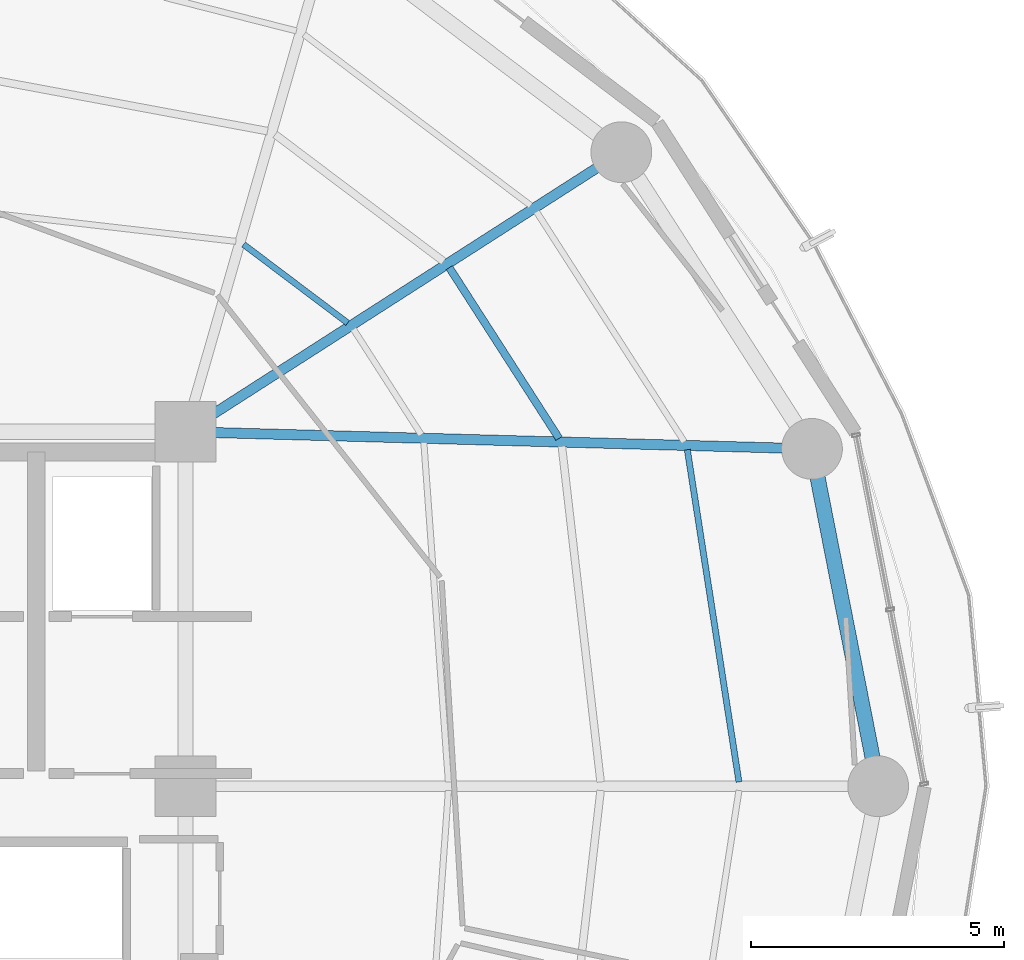
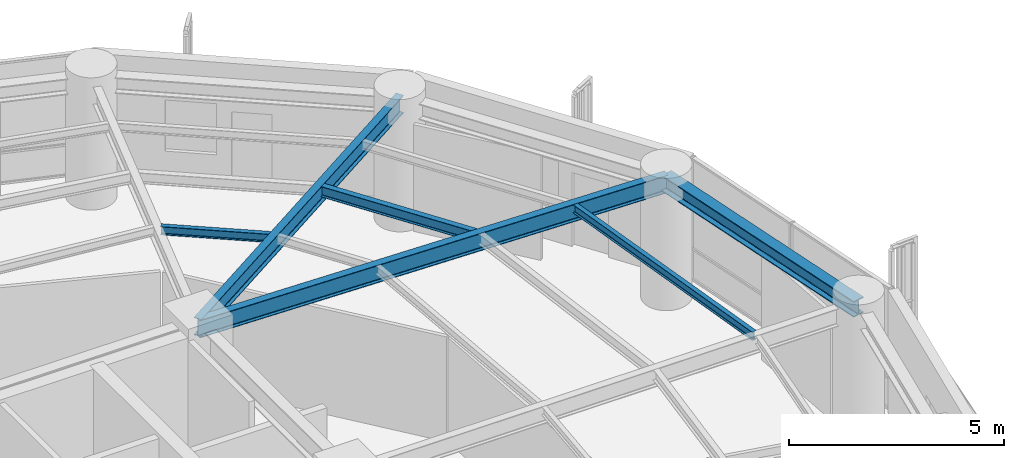
# One storey, part 14 of 27: 6 beams.
"""IFC4 building model written with IfcOpenShell, lengths in metres."""

import ifcopenshell
import ifcopenshell.guid

model = None  # the IFC model being written
_history = None  # IfcOwnerHistory: only IFC2X3 demands one
_inside = {}  # id of a spatial element -> (the spatial element, [elements in it])
_under = {}  # id of a project, library or spatial element -> (it, [spatial elements below it])
_declared = {}  # id of a project -> (the project, [libraries it declares])
_typed = {}  # id of a type object -> (the type object, [elements of that type])
_made_of = {}  # id of a material, layer set ... -> (it, [elements and type objects made of it])


def new_model(schema):
    """Start an empty IFC model of exactly this schema.

    Asked for "IFC4X3", IfcOpenShell would pick the latest addendum, in which some entities
    have other attributes; the version numbers below select the first issue.
    IFC2X3 requires an IfcOwnerHistory on every rooted entity: one is made here for all.
    """
    global model, _history
    if schema == "IFC4X3":
        model = ifcopenshell.file(schema_version=(4, 3, 0, 0))
    else:
        model = ifcopenshell.file(schema=schema)
    _inside.clear()
    _under.clear()
    _declared.clear()
    _typed.clear()
    _made_of.clear()
    _history = None
    if model.schema == "IFC2X3":
        org = make("IfcOrganization", Name="unknown")
        user = make(
            "IfcPersonAndOrganization",
            ThePerson=make("IfcPerson", FamilyName="unknown"),
            TheOrganization=org,
        )
        app = make(
            "IfcApplication",
            ApplicationDeveloper=org,
            Version="unknown",
            ApplicationFullName="unknown",
            ApplicationIdentifier="unknown",
        )
        _history = make(
            "IfcOwnerHistory",
            OwningUser=user,
            OwningApplication=app,
            ChangeAction="ADDED",
            CreationDate=0,
        )
    return model


def make(cls, **values):
    """One entity of the class cls with the attributes given. An attribute that is None is left unset."""
    return model.create_entity(
        cls, **{name: value for name, value in values.items() if value is not None}
    )


def rooted(cls, **values):
    """An entity with a GlobalId (a new one), such as an element, a storey or a relation."""
    return make(cls, GlobalId=ifcopenshell.guid.new(), OwnerHistory=_history, **values)


def si_unit(unit_type, name, prefix=None):
    """IfcSIUnit, for example si_unit("LENGTHUNIT", "METRE", prefix="MILLI")."""
    return make("IfcSIUnit", UnitType=unit_type, Prefix=prefix, Name=name)


def assignment(units):
    """IfcUnitAssignment: the units of a project."""
    return None if units is None else make("IfcUnitAssignment", Units=units)


def point(xyz):
    """IfcCartesianPoint."""
    return None if xyz is None else make("IfcCartesianPoint", Coordinates=xyz)


def direction(xyz):
    """IfcDirection."""
    return None if xyz is None else make("IfcDirection", DirectionRatios=xyz)


def frame(location, z_axis=None, x_axis=None):
    """IfcAxis2Placement3D, a coordinate frame: its origin and axes. An axis left out is left unset."""
    return make(
        "IfcAxis2Placement3D",
        Location=point(location),
        Axis=direction(z_axis),
        RefDirection=direction(x_axis),
    )


def frame_2d(location, x_axis=None):
    """IfcAxis2Placement2D, a coordinate frame in the plane: its origin and x axis."""
    return make(
        "IfcAxis2Placement2D", Location=point(location), RefDirection=direction(x_axis)
    )


def origin():
    """The frame at (0, 0, 0) with its axes left unset."""
    return frame((0.0, 0.0, 0.0))


def origin_2d():
    """The frame at (0, 0) in the plane with its x axis left unset."""
    return frame_2d((0.0, 0.0))


def place(relative_to, where):
    """IfcLocalPlacement: puts the frame where relative to a parent placement (None: the world)."""
    return make(
        "IfcLocalPlacement", PlacementRelTo=relative_to, RelativePlacement=where
    )


def context(
    kind, dimensions, precision=None, world=None, true_north=None, identifier=None
):
    """IfcGeometricRepresentationContext, for example the 3D "Model" context."""
    return make(
        "IfcGeometricRepresentationContext",
        ContextIdentifier=identifier,
        ContextType=kind,
        CoordinateSpaceDimension=dimensions,
        Precision=precision,
        WorldCoordinateSystem=world,
        TrueNorth=true_north,
    )


def subcontext(parent, identifier, kind, view, scale=None):
    """IfcGeometricRepresentationSubContext, for example "Body" below "Model"."""
    return make(
        "IfcGeometricRepresentationSubContext",
        ContextIdentifier=identifier,
        ContextType=kind,
        ParentContext=parent,
        TargetScale=scale,
        TargetView=view,
    )


def project(units=None, contexts=None):
    """IfcProject with its units and contexts."""
    return rooted(
        "IfcProject",
        Name="project",
        RepresentationContexts=contexts,
        UnitsInContext=assignment(units),
    )


def spatial(cls, under=None, at=None, **own):
    """A site, building, storey or space (cls), placed at a placement, below another one or the project."""
    s = rooted(cls, ObjectPlacement=at, **own)
    if under is not None:
        _under.setdefault(under.id(), (under, []))[1].append(s)
    return s


def profile(cls, at=None, kind="AREA", **sizes):
    """A parametric profile (cls). Its sizes go by their IFC names, for example OverallWidth=200.0."""
    return make(cls, ProfileType=kind, Position=at, **sizes)


def i_section(**sizes):
    """IfcIShapeProfileDef."""
    return profile("IfcIShapeProfileDef", **sizes)


def extrude(swept, where, along, depth):
    """IfcExtrudedAreaSolid: the profile swept, set in the frame where, extruded along a direction by depth."""
    return make(
        "IfcExtrudedAreaSolid",
        SweptArea=swept,
        Position=where,
        ExtrudedDirection=direction(along),
        Depth=depth,
    )


def shape(context_of_items, identifier, shape_type, items):
    """IfcShapeRepresentation: the items that make up one representation, for example the "Body"."""
    return make(
        "IfcShapeRepresentation",
        ContextOfItems=context_of_items,
        RepresentationIdentifier=identifier,
        RepresentationType=shape_type,
        Items=items,
    )


def material(Name=None, Category=None):
    """IfcMaterial."""
    return make("IfcMaterial", Name=Name, Category=Category)


def material_profile(
    of_material, cross_section, Name=None, Category=None, Priority=None
):
    """IfcMaterialProfile: a cross section and its material."""
    return make(
        "IfcMaterialProfile",
        Name=Name,
        Material=of_material,
        Profile=cross_section,
        Priority=Priority,
        Category=Category,
    )


def profile_set(profiles, Name=None, composite=None):
    """IfcMaterialProfileSet."""
    return make(
        "IfcMaterialProfileSet",
        Name=Name,
        MaterialProfiles=profiles,
        CompositeProfile=composite,
    )


def made_of(thing, what):
    """Note that an element or type object is made of a material, layer set ...; save() writes the relation."""
    if what is not None:
        _made_of.setdefault(what.id(), (what, []))[1].append(thing)
    return thing


def type_object(cls, material=None, **own):
    """A type object (cls), such as IfcWallType, which elements share."""
    return made_of(rooted(cls, **own), material)


def element(
    cls,
    number,
    at=None,
    inside=None,
    cuts=None,
    type_object=None,
    material=None,
    context=None,
    identifier="Body",
    shape_type=None,
    held_by="IfcProductDefinitionShape",
    body=None,
    shapes=None,
    **own,
):
    """One element of the class cls, such as IfcWall. Its Tag is "e" and its number.

    at: its placement. inside: the storey or other place that contains it. cuts: it is an
    opening in that element (IfcRelVoidsElement). A single representation is given by context,
    identifier, shape_type and body (its items); several are given by shapes. held_by: the class
    of the entity that holds the representations. save() writes the other relations.
    """
    e = rooted(cls, Tag="e%d" % number, ObjectPlacement=at, **own)
    if body is not None:
        shapes = [shape(context, identifier, shape_type, body)]
    if shapes is not None:
        e.Representation = make(held_by, Representations=shapes)
    if inside is not None:
        _inside.setdefault(inside.id(), (inside, []))[1].append(e)
    if cuts is not None:
        rooted(
            "IfcRelVoidsElement", RelatingBuildingElement=cuts, RelatedOpeningElement=e
        )
    if type_object is not None:
        _typed.setdefault(type_object.id(), (type_object, []))[1].append(e)
    return made_of(e, material)


def aggregate(whole, parts):
    """IfcRelAggregates: a whole, such as a stair, and the parts it consists of."""
    return rooted("IfcRelAggregates", RelatingObject=whole, RelatedObjects=parts)


def save(model, path):
    """Write the relations noted so far, then the file.

    IfcRelAggregates (storeys below a building ...), IfcRelContainedInSpatialStructure (elements
    in a storey), IfcRelDefinesByType, IfcRelAssociatesMaterial and IfcRelDeclares: one each for
    every whole, place, type object, material and project.
    """
    for whole, parts in _under.values():
        aggregate(whole, parts)
    for where, things in _inside.values():
        rooted(
            "IfcRelContainedInSpatialStructure",
            RelatedElements=things,
            RelatingStructure=where,
        )
    for kind, things in _typed.values():
        rooted("IfcRelDefinesByType", RelatedObjects=things, RelatingType=kind)
    for what, things in _made_of.values():
        rooted("IfcRelAssociatesMaterial", RelatedObjects=things, RelatingMaterial=what)
    for by, libraries in _declared.values():
        rooted("IfcRelDeclares", RelatingContext=by, RelatedDefinitions=libraries)
    model.write(path)


model = new_model("IFC4")

# Units and contexts
model_context = context("Model", 3, precision=1e-05, world=origin(), true_north=direction((0.0, 1.0)))
body_context = subcontext(model_context, "Body", "Model", "MODEL_VIEW")
ifc_project = project(units=[si_unit("LENGTHUNIT", "METRE"), si_unit("AREAUNIT", "SQUARE_METRE"), si_unit("VOLUMEUNIT", "CUBIC_METRE"), si_unit("PLANEANGLEUNIT", "RADIAN"), si_unit("MASSUNIT", "GRAM", prefix="KILO")], contexts=[model_context])

# Site, building, storey
site_placement = place(None, origin())
site = spatial("IfcSite", under=ifc_project, at=site_placement, CompositionType="ELEMENT")
building_placement = place(site_placement, origin())
building = spatial("IfcBuilding", under=site, at=building_placement, Name="Kelanora Arch Commons", CompositionType="ELEMENT")
storey_placement = place(building_placement, frame((0.0, 0.0, 154.35009765625)))
storey = spatial("IfcBuildingStorey", under=building, at=storey_placement, Name="L39", CompositionType="ELEMENT", Elevation=154.35009765625)

# Beams
ifc_material = material(Name="Steel S355", Category="steel")
ifc_material_profile_1 = material_profile(ifc_material, i_section(OverallWidth=0.14990234375, OverallDepth=0.300048828125, WebThickness=0.007080078125, FlangeThickness=0.0107421875, FilletRadius=0.014892578125, at=origin_2d()), Name="IPE300")
ifc_profile_set_1 = profile_set([ifc_material_profile_1], Name="Steel S355")
beam_type_1 = type_object("IfcBeamType", Name="BM-JST-01", PredefinedType="JOIST", material=ifc_profile_set_1)
beam_1_placement = place(storey_placement, frame((89.377685546875, 64.869140625, 3.33984375), z_axis=(-0.540594434398, 0.841283339606, 0.0), x_axis=(-0.841283339606, -0.540594434398, 0.0)))
element("IfcBeam", 1, at=beam_1_placement, inside=storey, type_object=beam_type_1, Name="Secondary Chord Joist BJB-02 L39", PredefinedType="JOIST", context=body_context, shape_type="SweptSolid", body=[
    extrude(i_section(OverallWidth=0.14990234375, OverallDepth=0.300048828125, WebThickness=0.007080078125, FlangeThickness=0.0107421875, FilletRadius=0.014892578125, at=origin_2d()), origin(), (0.0, 0.0, 1.0), 4.008544921875),
])
ifc_material_profile_2 = material_profile(ifc_material, i_section(OverallWidth=0.1201171875, OverallDepth=0.239990234375, WebThickness=0.006103515625, FlangeThickness=0.009765625, FilletRadius=0.014892578125, at=origin_2d()), Name="IPE240")
ifc_profile_set_2 = profile_set([ifc_material_profile_2], Name="Steel S355")
beam_type_2 = type_object("IfcBeamType", Name="BM-JST-02", PredefinedType="JOIST", material=ifc_profile_set_2)
beam_2_placement = place(storey_placement, frame((92.930908203125, 58.083984375, 3.369873046875), z_axis=(-0.153562625853, 0.988138917329, 0.0), x_axis=(-0.988138917329, -0.153562625853, 0.0)))
element("IfcBeam", 2, at=beam_2_placement, inside=storey, type_object=beam_type_2, Name="Secondary Chord Joist BJC-00 L39", PredefinedType="JOIST", context=body_context, shape_type="SweptSolid", body=[
    extrude(i_section(OverallWidth=0.1201171875, OverallDepth=0.239990234375, WebThickness=0.006103515625, FlangeThickness=0.009765625, FilletRadius=0.014892578125, at=origin_2d()), origin(), (0.0, 0.0, 1.0), 6.640869140625),
])
beam_3_placement = place(storey_placement, frame((85.203125, 67.1494140625, 3.369873046875), z_axis=(-0.798484118859, 0.602015873487, 0.0), x_axis=(-0.602015873487, -0.798484118859, 0.0)))
element("IfcBeam", 3, at=beam_3_placement, inside=storey, type_object=beam_type_2, Name="Secondary Chord Joist BJA-04 L39", PredefinedType="JOIST", context=body_context, shape_type="SweptSolid", body=[
    extrude(i_section(OverallWidth=0.1201171875, OverallDepth=0.239990234375, WebThickness=0.006103515625, FlangeThickness=0.009765625, FilletRadius=0.014892578125, at=origin_2d()), origin(), (0.0, 0.0, 1.0), 2.57470703125),
])
ifc_material_profile_3 = material_profile(ifc_material, i_section(OverallWidth=0.199951171875, OverallDepth=0.5, WebThickness=0.01025390625, FlangeThickness=0.01611328125, FilletRadius=0.02099609375, at=origin_2d()), Name="IPE500")
ifc_profile_set_3 = profile_set([ifc_material_profile_3], Name="Steel S355")
beam_type_3 = type_object("IfcBeamType", Name="BM-RAD-Z3", PredefinedType="BEAM", material=ifc_profile_set_3)
beam_4_placement = place(storey_placement, frame((82.0, 65.0, 3.239990234375), z_axis=(0.999628374924, -0.027260081577, 0.0), x_axis=(0.027260081577, 0.999628374924, 0.0)))
element("IfcBeam", 4, at=beam_4_placement, inside=storey, type_object=beam_type_3, Name="Radial Floor Girder BR-02 L39", PredefinedType="BEAM", context=body_context, shape_type="SweptSolid", body=[
    extrude(i_section(OverallWidth=0.199951171875, OverallDepth=0.5, WebThickness=0.01025390625, FlangeThickness=0.01611328125, FilletRadius=0.02099609375, at=origin_2d()), origin(), (0.0, 0.0, 1.0), 12.377197265625),
])
beam_5_placement = place(storey_placement, frame((82.0, 65.0, 3.239990234375), z_axis=(0.841719465748, 0.539915123868, 0.0), x_axis=(-0.539915123868, 0.841719465748, 0.0)))
element("IfcBeam", 5, at=beam_5_placement, inside=storey, type_object=beam_type_3, Name="Radial Floor Girder BR-04 L39", PredefinedType="BEAM", context=body_context, shape_type="SweptSolid", body=[
    extrude(i_section(OverallWidth=0.199951171875, OverallDepth=0.5, WebThickness=0.01025390625, FlangeThickness=0.01611328125, FilletRadius=0.02099609375, at=origin_2d()), origin(), (0.0, 0.0, 1.0), 10.2265625),
])
ifc_material_profile_4 = material_profile(ifc_material, i_section(OverallWidth=0.300048828125, OverallDepth=0.449951171875, WebThickness=0.013916015625, FlangeThickness=0.02587890625, FilletRadius=0.027099609375, at=origin_2d()), Name="HEB450")
ifc_profile_set_4 = profile_set([ifc_material_profile_4], Name="Steel S355")
beam_type_4 = type_object("IfcBeamType", Name="BM-SPN-Z3", PredefinedType="SPANDREL", material=ifc_profile_set_4)
beam_6_placement = place(storey_placement, frame((95.679931640625, 58.0, 3.264892578125), z_axis=(-0.192553643556, 0.981286448675, 0.0), x_axis=(-0.981286448675, -0.192553643556, 0.0)))
element("IfcBeam", 6, at=beam_6_placement, inside=storey, type_object=beam_type_4, Name="Perimeter Spandrel Beam BS-00 L39", PredefinedType="SPANDREL", context=body_context, shape_type="SweptSolid", body=[
    extrude(i_section(OverallWidth=0.300048828125, OverallDepth=0.449951171875, WebThickness=0.013916015625, FlangeThickness=0.02587890625, FilletRadius=0.027099609375, at=origin_2d()), origin(), (0.0, 0.0, 1.0), 6.78955078125),
])

save(model, "model.ifc")
